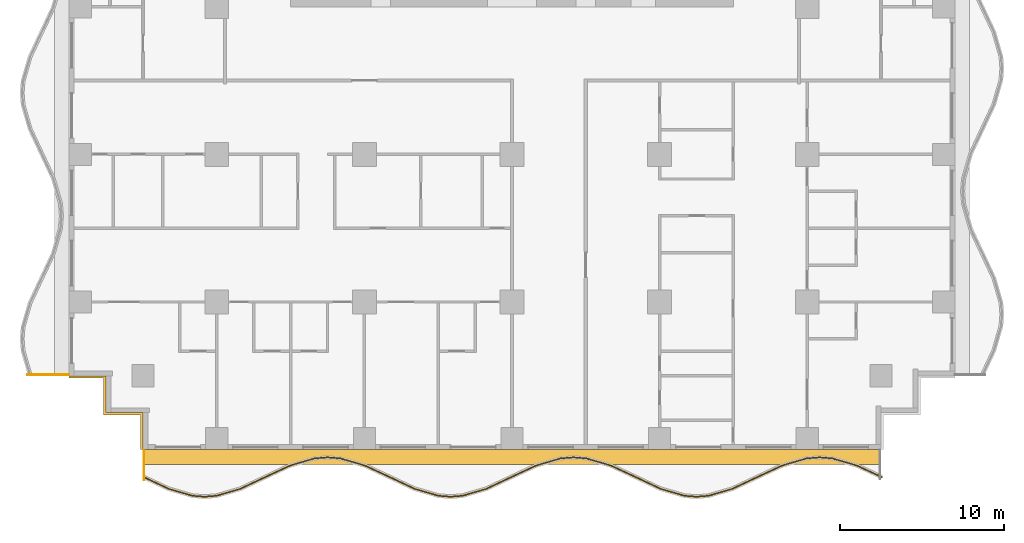
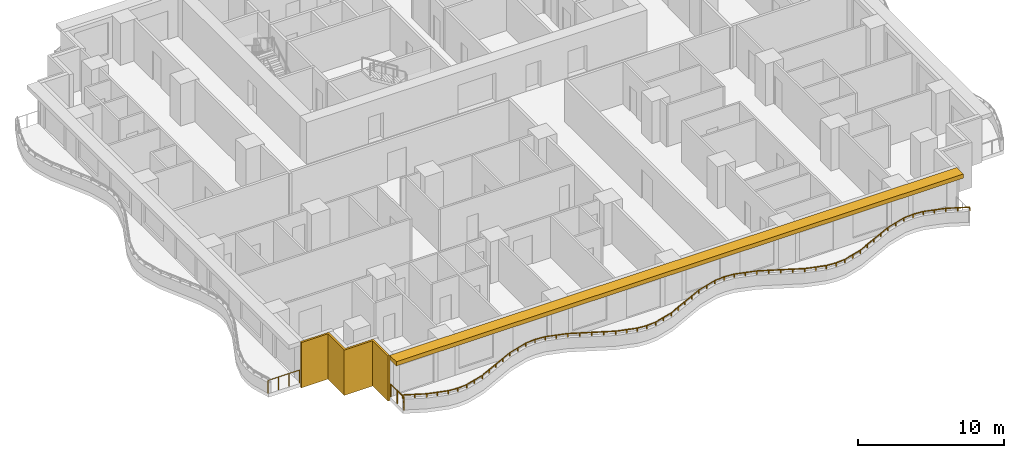
# One storey, part 7 of 13: 3 railings, 2 shading devices.
"""IFC4 building model written with IfcOpenShell, lengths in metres."""

import ifcopenshell
import ifcopenshell.guid

model = None  # the IFC model being written
_history = None  # IfcOwnerHistory: only IFC2X3 demands one
_inside = {}  # id of a spatial element -> (the spatial element, [elements in it])
_under = {}  # id of a project, library or spatial element -> (it, [spatial elements below it])
_declared = {}  # id of a project -> (the project, [libraries it declares])
_typed = {}  # id of a type object -> (the type object, [elements of that type])
_made_of = {}  # id of a material, layer set ... -> (it, [elements and type objects made of it])


def new_model(schema):
    """Start an empty IFC model of exactly this schema.

    Asked for "IFC4X3", IfcOpenShell would pick the latest addendum, in which some entities
    have other attributes; the version numbers below select the first issue.
    IFC2X3 requires an IfcOwnerHistory on every rooted entity: one is made here for all.
    """
    global model, _history
    if schema == "IFC4X3":
        model = ifcopenshell.file(schema_version=(4, 3, 0, 0))
    else:
        model = ifcopenshell.file(schema=schema)
    _inside.clear()
    _under.clear()
    _declared.clear()
    _typed.clear()
    _made_of.clear()
    _history = None
    if model.schema == "IFC2X3":
        org = make("IfcOrganization", Name="unknown")
        user = make(
            "IfcPersonAndOrganization",
            ThePerson=make("IfcPerson", FamilyName="unknown"),
            TheOrganization=org,
        )
        app = make(
            "IfcApplication",
            ApplicationDeveloper=org,
            Version="unknown",
            ApplicationFullName="unknown",
            ApplicationIdentifier="unknown",
        )
        _history = make(
            "IfcOwnerHistory",
            OwningUser=user,
            OwningApplication=app,
            ChangeAction="ADDED",
            CreationDate=0,
        )
    return model


def make(cls, **values):
    """One entity of the class cls with the attributes given. An attribute that is None is left unset."""
    return model.create_entity(
        cls, **{name: value for name, value in values.items() if value is not None}
    )


def rooted(cls, **values):
    """An entity with a GlobalId (a new one), such as an element, a storey or a relation."""
    return make(cls, GlobalId=ifcopenshell.guid.new(), OwnerHistory=_history, **values)


def si_unit(unit_type, name, prefix=None):
    """IfcSIUnit, for example si_unit("LENGTHUNIT", "METRE", prefix="MILLI")."""
    return make("IfcSIUnit", UnitType=unit_type, Prefix=prefix, Name=name)


def assignment(units):
    """IfcUnitAssignment: the units of a project."""
    return None if units is None else make("IfcUnitAssignment", Units=units)


def point(xyz):
    """IfcCartesianPoint."""
    return None if xyz is None else make("IfcCartesianPoint", Coordinates=xyz)


def direction(xyz):
    """IfcDirection."""
    return None if xyz is None else make("IfcDirection", DirectionRatios=xyz)


def frame(location, z_axis=None, x_axis=None):
    """IfcAxis2Placement3D, a coordinate frame: its origin and axes. An axis left out is left unset."""
    return make(
        "IfcAxis2Placement3D",
        Location=point(location),
        Axis=direction(z_axis),
        RefDirection=direction(x_axis),
    )


def frame_2d(location, x_axis=None):
    """IfcAxis2Placement2D, a coordinate frame in the plane: its origin and x axis."""
    return make(
        "IfcAxis2Placement2D", Location=point(location), RefDirection=direction(x_axis)
    )


def origin():
    """The frame at (0, 0, 0) with its axes left unset."""
    return frame((0.0, 0.0, 0.0))


def origin_2d():
    """The frame at (0, 0) in the plane with its x axis left unset."""
    return frame_2d((0.0, 0.0))


def place(relative_to, where):
    """IfcLocalPlacement: puts the frame where relative to a parent placement (None: the world)."""
    return make(
        "IfcLocalPlacement", PlacementRelTo=relative_to, RelativePlacement=where
    )


def context(
    kind, dimensions, precision=None, world=None, true_north=None, identifier=None
):
    """IfcGeometricRepresentationContext, for example the 3D "Model" context."""
    return make(
        "IfcGeometricRepresentationContext",
        ContextIdentifier=identifier,
        ContextType=kind,
        CoordinateSpaceDimension=dimensions,
        Precision=precision,
        WorldCoordinateSystem=world,
        TrueNorth=true_north,
    )


def subcontext(parent, identifier, kind, view, scale=None):
    """IfcGeometricRepresentationSubContext, for example "Body" below "Model"."""
    return make(
        "IfcGeometricRepresentationSubContext",
        ContextIdentifier=identifier,
        ContextType=kind,
        ParentContext=parent,
        TargetScale=scale,
        TargetView=view,
    )


def project(units=None, contexts=None):
    """IfcProject with its units and contexts."""
    return rooted(
        "IfcProject",
        Name="project",
        RepresentationContexts=contexts,
        UnitsInContext=assignment(units),
    )


def spatial(cls, under=None, at=None, **own):
    """A site, building, storey or space (cls), placed at a placement, below another one or the project."""
    s = rooted(cls, ObjectPlacement=at, **own)
    if under is not None:
        _under.setdefault(under.id(), (under, []))[1].append(s)
    return s


def polyline(points):
    """IfcPolyline through the points."""
    return make("IfcPolyline", Points=[point(p) for p in points])


def profile(cls, at=None, kind="AREA", **sizes):
    """A parametric profile (cls). Its sizes go by their IFC names, for example OverallWidth=200.0."""
    return make(cls, ProfileType=kind, Position=at, **sizes)


def rectangle(**sizes):
    """IfcRectangleProfileDef."""
    return profile("IfcRectangleProfileDef", **sizes)


def outline(outer, holes=None, kind="AREA"):
    """IfcArbitraryClosedProfileDef: a profile drawn as a closed curve; with holes, ...WithVoids."""
    if holes is None:
        return make("IfcArbitraryClosedProfileDef", ProfileType=kind, OuterCurve=outer)
    return make(
        "IfcArbitraryProfileDefWithVoids",
        ProfileType=kind,
        OuterCurve=outer,
        InnerCurves=holes,
    )


def extrude(swept, where, along, depth):
    """IfcExtrudedAreaSolid: the profile swept, set in the frame where, extruded along a direction by depth."""
    return make(
        "IfcExtrudedAreaSolid",
        SweptArea=swept,
        Position=where,
        ExtrudedDirection=direction(along),
        Depth=depth,
    )


def shape(context_of_items, identifier, shape_type, items):
    """IfcShapeRepresentation: the items that make up one representation, for example the "Body"."""
    return make(
        "IfcShapeRepresentation",
        ContextOfItems=context_of_items,
        RepresentationIdentifier=identifier,
        RepresentationType=shape_type,
        Items=items,
    )


def material(Name=None, Category=None):
    """IfcMaterial."""
    return make("IfcMaterial", Name=Name, Category=Category)


def layer(
    of_material, thickness, ventilated=None, Name=None, Category=None, Priority=None
):
    """IfcMaterialLayer: one layer of a wall or slab, of a material (None: an air gap)."""
    return make(
        "IfcMaterialLayer",
        Material=of_material,
        LayerThickness=thickness,
        IsVentilated=ventilated,
        Name=Name,
        Category=Category,
        Priority=Priority,
    )


def layer_set(layers, Name=None):
    """IfcMaterialLayerSet."""
    return make("IfcMaterialLayerSet", MaterialLayers=layers, LayerSetName=Name)


def made_of(thing, what):
    """Note that an element or type object is made of a material, layer set ...; save() writes the relation."""
    if what is not None:
        _made_of.setdefault(what.id(), (what, []))[1].append(thing)
    return thing


def type_object(cls, material=None, **own):
    """A type object (cls), such as IfcWallType, which elements share."""
    return made_of(rooted(cls, **own), material)


def element(
    cls,
    number,
    at=None,
    inside=None,
    cuts=None,
    type_object=None,
    material=None,
    context=None,
    identifier="Body",
    shape_type=None,
    held_by="IfcProductDefinitionShape",
    body=None,
    shapes=None,
    **own,
):
    """One element of the class cls, such as IfcWall. Its Tag is "e" and its number.

    at: its placement. inside: the storey or other place that contains it. cuts: it is an
    opening in that element (IfcRelVoidsElement). A single representation is given by context,
    identifier, shape_type and body (its items); several are given by shapes. held_by: the class
    of the entity that holds the representations. save() writes the other relations.
    """
    e = rooted(cls, Tag="e%d" % number, ObjectPlacement=at, **own)
    if body is not None:
        shapes = [shape(context, identifier, shape_type, body)]
    if shapes is not None:
        e.Representation = make(held_by, Representations=shapes)
    if inside is not None:
        _inside.setdefault(inside.id(), (inside, []))[1].append(e)
    if cuts is not None:
        rooted(
            "IfcRelVoidsElement", RelatingBuildingElement=cuts, RelatedOpeningElement=e
        )
    if type_object is not None:
        _typed.setdefault(type_object.id(), (type_object, []))[1].append(e)
    return made_of(e, material)


def aggregate(whole, parts):
    """IfcRelAggregates: a whole, such as a stair, and the parts it consists of."""
    return rooted("IfcRelAggregates", RelatingObject=whole, RelatedObjects=parts)


def save(model, path):
    """Write the relations noted so far, then the file.

    IfcRelAggregates (storeys below a building ...), IfcRelContainedInSpatialStructure (elements
    in a storey), IfcRelDefinesByType, IfcRelAssociatesMaterial and IfcRelDeclares: one each for
    every whole, place, type object, material and project.
    """
    for whole, parts in _under.values():
        aggregate(whole, parts)
    for where, things in _inside.values():
        rooted(
            "IfcRelContainedInSpatialStructure",
            RelatedElements=things,
            RelatingStructure=where,
        )
    for kind, things in _typed.values():
        rooted("IfcRelDefinesByType", RelatedObjects=things, RelatingType=kind)
    for what, things in _made_of.values():
        rooted("IfcRelAssociatesMaterial", RelatedObjects=things, RelatingMaterial=what)
    for by, libraries in _declared.values():
        rooted("IfcRelDeclares", RelatingContext=by, RelatedDefinitions=libraries)
    model.write(path)


model = new_model("IFC4")

# Units and contexts
model_context = context("Model", 3, precision=1e-05, world=origin(), true_north=direction((0.0, 1.0)))
body_context = subcontext(model_context, "Body", "Model", "MODEL_VIEW")
ifc_project = project(units=[si_unit("LENGTHUNIT", "METRE"), si_unit("AREAUNIT", "SQUARE_METRE"), si_unit("VOLUMEUNIT", "CUBIC_METRE"), si_unit("PLANEANGLEUNIT", "RADIAN"), si_unit("MASSUNIT", "GRAM", prefix="KILO")], contexts=[model_context])

# Site, building, storey
site_placement = place(None, origin())
site = spatial("IfcSite", under=ifc_project, at=site_placement, CompositionType="ELEMENT")
building_placement = place(site_placement, origin())
building = spatial("IfcBuilding", under=site, at=building_placement, Name="Orbiselva Terraces", CompositionType="ELEMENT")
storey_placement = place(building_placement, frame((0.0, 0.0, 77.0)))
storey = spatial("IfcBuildingStorey", under=building, at=storey_placement, Name="L19", CompositionType="ELEMENT", Elevation=77.0)

# Railings
ifc_material_1 = material(Name="Bonded two-ply safety glass balustrade, stainless steel posts", Category="steel")
railing_type_1 = type_object("IfcRailingType", Name="ENV-BALUSTRADE-1200", PredefinedType="BALUSTRADE", material=ifc_material_1)
railing_1_placement = place(storey_placement, frame((-22.446809, -24.186882, 0.9)))
element("IfcRailing", 1, at=railing_1_placement, inside=storey, type_object=railing_type_1, Name="Balcony balustrade L19 S", PredefinedType="BALUSTRADE", context=body_context, shape_type="SweptSolid", body=[
    extrude(outline(polyline([(0.028868, 0.0), (0.014434, 0.025), (-0.014434, 0.025), (-0.028868, 0.0), (-0.014434, -0.025), (0.014434, -0.025), (0.028868, 0.0)])), frame((0.0, 0.0, 0.275), z_axis=(0.904944359461, -0.425529912322, 0.0), x_axis=(0.425529912322, 0.904944359461, 0.0)), (0.0, 0.0, 1.0), 1.647746),
    extrude(outline(polyline([(0.028868, 0.0), (0.014434, 0.025), (-0.014434, 0.025), (-0.028868, 0.0), (-0.014434, -0.025), (0.014434, -0.025), (0.028868, 0.0)])), frame((1.491118, -0.701165, 0.275), z_axis=(0.960270317007, -0.279071528957, 0.0), x_axis=(0.279071528957, 0.960270317007, 0.0)), (0.0, 0.0, 1.0), 1.539408),
    extrude(outline(polyline([(0.028868, 0.0), (0.014434, 0.025), (-0.014434, 0.025), (-0.028868, 0.0), (-0.014434, -0.025), (0.014434, -0.025), (0.028868, 0.0)])), frame((2.969366, -1.13077, 0.275), z_axis=(0.996947916106, -0.078069536776, 0.0), x_axis=(0.078069536776, 0.996947916106, 0.0)), (0.0, 0.0, 1.0), 0.72967),
    extrude(outline(polyline([(0.028868, 0.0), (0.014434, 0.025), (-0.014434, 0.025), (-0.028868, 0.0), (-0.014434, -0.025), (0.014434, -0.025), (0.028868, 0.0)])), frame((3.696809, -1.187735, 0.275), z_axis=(0.996947916106, 0.078069536776, 0.0), x_axis=(-0.078069536776, 0.996947916106, 0.0)), (0.0, 0.0, 1.0), 0.72967),
    extrude(outline(polyline([(0.028868, 0.0), (0.014434, 0.025), (-0.014434, 0.025), (-0.028868, 0.0), (-0.014434, -0.025), (0.014434, -0.025), (0.028868, 0.0)])), frame((4.424252, -1.13077, 0.275), z_axis=(0.960270317007, 0.279071528957, 0.0), x_axis=(-0.279071528957, 0.960270317007, 0.0)), (0.0, 0.0, 1.0), 1.539408),
    extrude(outline(polyline([(0.028868, 0.0), (0.014434, 0.025), (-0.014434, 0.025), (-0.028868, 0.0), (-0.014434, -0.025), (0.014434, -0.025), (0.028868, 0.0)])), frame((5.9025, -0.701165, 0.275), z_axis=(0.904944359461, 0.425529912322, 0.0), x_axis=(-0.425529912322, 0.904944359461, 0.0)), (0.0, 0.0, 1.0), 1.647746),
    extrude(outline(polyline([(0.028868, 0.0), (0.014434, 0.025), (-0.014434, 0.025), (-0.028868, 0.0), (-0.014434, -0.025), (0.014434, -0.025), (0.028868, 0.0)])), frame((7.393618, 0.0, 0.275), z_axis=(0.904944157382, 0.425530342069, 0.0), x_axis=(-0.425530342069, 0.904944157382, 0.0)), (0.0, 0.0, 1.0), 1.667376),
    extrude(outline(polyline([(0.028868, 0.0), (0.014434, 0.025), (-0.014434, 0.025), (-0.028868, 0.0), (-0.014434, -0.025), (0.014434, -0.025), (0.028868, 0.0)])), frame((8.9025, 0.709519, 0.275), z_axis=(0.960270491427, 0.279070928786, 0.0), x_axis=(-0.279070928786, 0.960270491427, 0.0)), (0.0, 0.0, 1.0), 1.584712),
    extrude(outline(polyline([(0.028868, 0.0), (0.014434, 0.025), (-0.014434, 0.025), (-0.028868, 0.0), (-0.014434, -0.025), (0.014434, -0.025), (0.028868, 0.0)])), frame((10.424252, 1.151766, 0.275), z_axis=(0.996947796737, 0.078071061106, 0.0), x_axis=(-0.078071061106, 0.996947796737, 0.0)), (0.0, 0.0, 1.0), 0.774922),
    extrude(outline(polyline([(0.028868, 0.0), (0.014434, 0.025), (-0.014434, 0.025), (-0.028868, 0.0), (-0.014434, -0.025), (0.014434, -0.025), (0.028868, 0.0)])), frame((11.196809, 1.212265, 0.275), z_axis=(0.996947796737, -0.078071061106, 0.0), x_axis=(0.078071061106, 0.996947796737, 0.0)), (0.0, 0.0, 1.0), 0.774922),
    extrude(outline(polyline([(0.028868, 0.0), (0.014434, 0.025), (-0.014434, 0.025), (-0.028868, 0.0), (-0.014434, -0.025), (0.014434, -0.025), (0.028868, 0.0)])), frame((11.969366, 1.151766, 0.275), z_axis=(0.960270491427, -0.279070928786, 0.0), x_axis=(0.279070928786, 0.960270491427, 0.0)), (0.0, 0.0, 1.0), 1.584712),
    extrude(outline(polyline([(0.028868, 0.0), (0.014434, 0.025), (-0.014434, 0.025), (-0.028868, 0.0), (-0.014434, -0.025), (0.014434, -0.025), (0.028868, 0.0)])), frame((13.491118, 0.709519, 0.275), z_axis=(0.904944157382, -0.425530342069, 0.0), x_axis=(0.425530342069, 0.904944157382, 0.0)), (0.0, 0.0, 1.0), 1.667376),
    extrude(outline(polyline([(0.028868, 0.0), (0.014434, 0.025), (-0.014434, 0.025), (-0.028868, 0.0), (-0.014434, -0.025), (0.014434, -0.025), (0.028868, 0.0)])), frame((15.0, 0.0, 0.275), z_axis=(0.904944359461, -0.425529912322, 0.0), x_axis=(0.425529912322, 0.904944359461, 0.0)), (0.0, 0.0, 1.0), 1.647746),
    extrude(outline(polyline([(0.028868, 0.0), (0.014434, 0.025), (-0.014434, 0.025), (-0.028868, 0.0), (-0.014434, -0.025), (0.014434, -0.025), (0.028868, 0.0)])), frame((16.491118, -0.701165, 0.275), z_axis=(0.960270317007, -0.279071528957, 0.0), x_axis=(0.279071528957, 0.960270317007, 0.0)), (0.0, 0.0, 1.0), 1.539408),
    extrude(outline(polyline([(0.028868, 0.0), (0.014434, 0.025), (-0.014434, 0.025), (-0.028868, 0.0), (-0.014434, -0.025), (0.014434, -0.025), (0.028868, 0.0)])), frame((17.969366, -1.13077, 0.275), z_axis=(0.996947916106, -0.078069536776, 0.0), x_axis=(0.078069536776, 0.996947916106, 0.0)), (0.0, 0.0, 1.0), 0.72967),
    extrude(outline(polyline([(0.028868, 0.0), (0.014434, 0.025), (-0.014434, 0.025), (-0.028868, 0.0), (-0.014434, -0.025), (0.014434, -0.025), (0.028868, 0.0)])), frame((18.696809, -1.187735, 0.275), z_axis=(0.996947916106, 0.078069536776, 0.0), x_axis=(-0.078069536776, 0.996947916106, 0.0)), (0.0, 0.0, 1.0), 0.72967),
    extrude(outline(polyline([(0.028868, 0.0), (0.014434, 0.025), (-0.014434, 0.025), (-0.028868, 0.0), (-0.014434, -0.025), (0.014434, -0.025), (0.028868, 0.0)])), frame((19.424252, -1.13077, 0.275), z_axis=(0.960270317007, 0.279071528957, 0.0), x_axis=(-0.279071528957, 0.960270317007, 0.0)), (0.0, 0.0, 1.0), 1.539408),
    extrude(outline(polyline([(0.028868, 0.0), (0.014434, 0.025), (-0.014434, 0.025), (-0.028868, 0.0), (-0.014434, -0.025), (0.014434, -0.025), (0.028868, 0.0)])), frame((20.9025, -0.701165, 0.275), z_axis=(0.904944359461, 0.425529912322, 0.0), x_axis=(-0.425529912322, 0.904944359461, 0.0)), (0.0, 0.0, 1.0), 1.647746),
    extrude(outline(polyline([(0.028868, 0.0), (0.014434, 0.025), (-0.014434, 0.025), (-0.028868, 0.0), (-0.014434, -0.025), (0.014434, -0.025), (0.028868, 0.0)])), frame((22.393618, 0.0, 0.275), z_axis=(0.904944157382, 0.425530342069, 0.0), x_axis=(-0.425530342069, 0.904944157382, 0.0)), (0.0, 0.0, 1.0), 1.667376),
    extrude(outline(polyline([(0.028868, 0.0), (0.014434, 0.025), (-0.014434, 0.025), (-0.028868, 0.0), (-0.014434, -0.025), (0.014434, -0.025), (0.028868, 0.0)])), frame((23.9025, 0.709519, 0.275), z_axis=(0.960270491427, 0.279070928786, 0.0), x_axis=(-0.279070928786, 0.960270491427, 0.0)), (0.0, 0.0, 1.0), 1.584712),
    extrude(outline(polyline([(0.028868, 0.0), (0.014434, 0.025), (-0.014434, 0.025), (-0.028868, 0.0), (-0.014434, -0.025), (0.014434, -0.025), (0.028868, 0.0)])), frame((25.424252, 1.151766, 0.275), z_axis=(0.996947796737, 0.078071061106, 0.0), x_axis=(-0.078071061106, 0.996947796737, 0.0)), (0.0, 0.0, 1.0), 0.774922),
    extrude(outline(polyline([(0.028868, 0.0), (0.014434, 0.025), (-0.014434, 0.025), (-0.028868, 0.0), (-0.014434, -0.025), (0.014434, -0.025), (0.028868, 0.0)])), frame((26.196809, 1.212265, 0.275), z_axis=(0.996947796737, -0.078071061106, 0.0), x_axis=(0.078071061106, 0.996947796737, 0.0)), (0.0, 0.0, 1.0), 0.774922),
    extrude(outline(polyline([(0.028868, 0.0), (0.014434, 0.025), (-0.014434, 0.025), (-0.028868, 0.0), (-0.014434, -0.025), (0.014434, -0.025), (0.028868, 0.0)])), frame((26.969366, 1.151766, 0.275), z_axis=(0.960270491427, -0.279070928786, 0.0), x_axis=(0.279070928786, 0.960270491427, 0.0)), (0.0, 0.0, 1.0), 1.584712),
    extrude(outline(polyline([(0.028868, 0.0), (0.014434, 0.025), (-0.014434, 0.025), (-0.028868, 0.0), (-0.014434, -0.025), (0.014434, -0.025), (0.028868, 0.0)])), frame((28.491118, 0.709519, 0.275), z_axis=(0.904944157382, -0.425530342069, 0.0), x_axis=(0.425530342069, 0.904944157382, 0.0)), (0.0, 0.0, 1.0), 1.667376),
    extrude(outline(polyline([(0.028868, 0.0), (0.014434, 0.025), (-0.014434, 0.025), (-0.028868, 0.0), (-0.014434, -0.025), (0.014434, -0.025), (0.028868, 0.0)])), frame((30.0, 0.0, 0.275), z_axis=(0.904944359461, -0.425529912322, 0.0), x_axis=(0.425529912322, 0.904944359461, 0.0)), (0.0, 0.0, 1.0), 1.647746),
    extrude(outline(polyline([(0.028868, 0.0), (0.014434, 0.025), (-0.014434, 0.025), (-0.028868, 0.0), (-0.014434, -0.025), (0.014434, -0.025), (0.028868, 0.0)])), frame((31.491118, -0.701165, 0.275), z_axis=(0.960270317007, -0.279071528957, 0.0), x_axis=(0.279071528957, 0.960270317007, 0.0)), (0.0, 0.0, 1.0), 1.539408),
    extrude(outline(polyline([(0.028868, 0.0), (0.014434, 0.025), (-0.014434, 0.025), (-0.028868, 0.0), (-0.014434, -0.025), (0.014434, -0.025), (0.028868, 0.0)])), frame((32.969366, -1.13077, 0.275), z_axis=(0.996947916106, -0.078069536776, 0.0), x_axis=(0.078069536776, 0.996947916106, 0.0)), (0.0, 0.0, 1.0), 0.72967),
    extrude(outline(polyline([(0.028868, 0.0), (0.014434, 0.025), (-0.014434, 0.025), (-0.028868, 0.0), (-0.014434, -0.025), (0.014434, -0.025), (0.028868, 0.0)])), frame((33.696809, -1.187735, 0.275), z_axis=(0.996947916106, 0.078069536776, 0.0), x_axis=(-0.078069536776, 0.996947916106, 0.0)), (0.0, 0.0, 1.0), 0.72967),
    extrude(outline(polyline([(0.028868, 0.0), (0.014434, 0.025), (-0.014434, 0.025), (-0.028868, 0.0), (-0.014434, -0.025), (0.014434, -0.025), (0.028868, 0.0)])), frame((34.424252, -1.13077, 0.275), z_axis=(0.960270317007, 0.279071528957, 0.0), x_axis=(-0.279071528957, 0.960270317007, 0.0)), (0.0, 0.0, 1.0), 1.539408),
    extrude(outline(polyline([(0.028868, 0.0), (0.014434, 0.025), (-0.014434, 0.025), (-0.028868, 0.0), (-0.014434, -0.025), (0.014434, -0.025), (0.028868, 0.0)])), frame((35.9025, -0.701165, 0.275), z_axis=(0.904944359461, 0.425529912322, 0.0), x_axis=(-0.425529912322, 0.904944359461, 0.0)), (0.0, 0.0, 1.0), 1.647746),
    extrude(outline(polyline([(0.028868, 0.0), (0.014434, 0.025), (-0.014434, 0.025), (-0.028868, 0.0), (-0.014434, -0.025), (0.014434, -0.025), (0.028868, 0.0)])), frame((37.393618, 0.0, 0.275), z_axis=(0.904944157382, 0.425530342069, 0.0), x_axis=(-0.425530342069, 0.904944157382, 0.0)), (0.0, 0.0, 1.0), 1.667376),
    extrude(outline(polyline([(0.028868, 0.0), (0.014434, 0.025), (-0.014434, 0.025), (-0.028868, 0.0), (-0.014434, -0.025), (0.014434, -0.025), (0.028868, 0.0)])), frame((38.9025, 0.709519, 0.275), z_axis=(0.960270491427, 0.279070928786, 0.0), x_axis=(-0.279070928786, 0.960270491427, 0.0)), (0.0, 0.0, 1.0), 1.584712),
    extrude(outline(polyline([(0.028868, 0.0), (0.014434, 0.025), (-0.014434, 0.025), (-0.028868, 0.0), (-0.014434, -0.025), (0.014434, -0.025), (0.028868, 0.0)])), frame((40.424252, 1.151766, 0.275), z_axis=(0.996947796737, 0.078071061106, 0.0), x_axis=(-0.078071061106, 0.996947796737, 0.0)), (0.0, 0.0, 1.0), 0.774922),
    extrude(outline(polyline([(0.028868, 0.0), (0.014434, 0.025), (-0.014434, 0.025), (-0.028868, 0.0), (-0.014434, -0.025), (0.014434, -0.025), (0.028868, 0.0)])), frame((41.196809, 1.212265, 0.275), z_axis=(0.996947796737, -0.078071061106, 0.0), x_axis=(0.078071061106, 0.996947796737, 0.0)), (0.0, 0.0, 1.0), 0.774922),
    extrude(outline(polyline([(0.028868, 0.0), (0.014434, 0.025), (-0.014434, 0.025), (-0.028868, 0.0), (-0.014434, -0.025), (0.014434, -0.025), (0.028868, 0.0)])), frame((41.969366, 1.151766, 0.275), z_axis=(0.960270491427, -0.279070928786, 0.0), x_axis=(0.279070928786, 0.960270491427, 0.0)), (0.0, 0.0, 1.0), 1.584712),
    extrude(outline(polyline([(0.028868, 0.0), (0.014434, 0.025), (-0.014434, 0.025), (-0.028868, 0.0), (-0.014434, -0.025), (0.014434, -0.025), (0.028868, 0.0)])), frame((43.491118, 0.709519, 0.275), z_axis=(0.904944157382, -0.425530342069, 0.0), x_axis=(0.425530342069, 0.904944157382, 0.0)), (0.0, 0.0, 1.0), 1.667376),
    extrude(rectangle(XDim=0.05, YDim=0.05, at=origin_2d()), origin(), (0.0, 0.0, 1.0), 0.25),
    extrude(rectangle(XDim=0.05, YDim=0.05, at=origin_2d()), frame((0.745559, -0.350582, 0.0)), (0.0, 0.0, 1.0), 0.25),
    extrude(rectangle(XDim=0.05, YDim=0.05, at=origin_2d()), frame((1.491118, -0.701165, 0.0)), (0.0, 0.0, 1.0), 0.25),
    extrude(rectangle(XDim=0.05, YDim=0.05, at=origin_2d()), frame((2.230242, -0.915967, 0.0)), (0.0, 0.0, 1.0), 0.25),
    extrude(rectangle(XDim=0.05, YDim=0.05, at=origin_2d()), frame((2.969366, -1.13077, 0.0)), (0.0, 0.0, 1.0), 0.25),
    extrude(rectangle(XDim=0.05, YDim=0.05, at=origin_2d()), frame((3.696809, -1.187735, 0.0)), (0.0, 0.0, 1.0), 0.25),
    extrude(rectangle(XDim=0.05, YDim=0.05, at=origin_2d()), frame((4.424252, -1.13077, 0.0)), (0.0, 0.0, 1.0), 0.25),
    extrude(rectangle(XDim=0.05, YDim=0.05, at=origin_2d()), frame((5.163376, -0.915967, 0.0)), (0.0, 0.0, 1.0), 0.25),
    extrude(rectangle(XDim=0.05, YDim=0.05, at=origin_2d()), frame((5.9025, -0.701165, 0.0)), (0.0, 0.0, 1.0), 0.25),
    extrude(rectangle(XDim=0.05, YDim=0.05, at=origin_2d()), frame((6.648059, -0.350582, 0.0)), (0.0, 0.0, 1.0), 0.25),
    extrude(rectangle(XDim=0.05, YDim=0.05, at=origin_2d()), frame((7.393618, 0.0, 0.0)), (0.0, 0.0, 1.0), 0.25),
    extrude(rectangle(XDim=0.05, YDim=0.05, at=origin_2d()), frame((8.148059, 0.35476, 0.0)), (0.0, 0.0, 1.0), 0.25),
    extrude(rectangle(XDim=0.05, YDim=0.05, at=origin_2d()), frame((8.9025, 0.709519, 0.0)), (0.0, 0.0, 1.0), 0.25),
    extrude(rectangle(XDim=0.05, YDim=0.05, at=origin_2d()), frame((9.663376, 0.930643, 0.0)), (0.0, 0.0, 1.0), 0.25),
    extrude(rectangle(XDim=0.05, YDim=0.05, at=origin_2d()), frame((10.424252, 1.151766, 0.0)), (0.0, 0.0, 1.0), 0.25),
    extrude(rectangle(XDim=0.05, YDim=0.05, at=origin_2d()), frame((11.196809, 1.212265, 0.0)), (0.0, 0.0, 1.0), 0.25),
    extrude(rectangle(XDim=0.05, YDim=0.05, at=origin_2d()), frame((11.969366, 1.151766, 0.0)), (0.0, 0.0, 1.0), 0.25),
    extrude(rectangle(XDim=0.05, YDim=0.05, at=origin_2d()), frame((12.730242, 0.930643, 0.0)), (0.0, 0.0, 1.0), 0.25),
    extrude(rectangle(XDim=0.05, YDim=0.05, at=origin_2d()), frame((13.491118, 0.709519, 0.0)), (0.0, 0.0, 1.0), 0.25),
    extrude(rectangle(XDim=0.05, YDim=0.05, at=origin_2d()), frame((14.245559, 0.35476, 0.0)), (0.0, 0.0, 1.0), 0.25),
    extrude(rectangle(XDim=0.05, YDim=0.05, at=origin_2d()), frame((15.0, 0.0, 0.0)), (0.0, 0.0, 1.0), 0.25),
    extrude(rectangle(XDim=0.05, YDim=0.05, at=origin_2d()), frame((15.745559, -0.350582, 0.0)), (0.0, 0.0, 1.0), 0.25),
    extrude(rectangle(XDim=0.05, YDim=0.05, at=origin_2d()), frame((16.491118, -0.701165, 0.0)), (0.0, 0.0, 1.0), 0.25),
    extrude(rectangle(XDim=0.05, YDim=0.05, at=origin_2d()), frame((17.230242, -0.915967, 0.0)), (0.0, 0.0, 1.0), 0.25),
    extrude(rectangle(XDim=0.05, YDim=0.05, at=origin_2d()), frame((17.969366, -1.13077, 0.0)), (0.0, 0.0, 1.0), 0.25),
    extrude(rectangle(XDim=0.05, YDim=0.05, at=origin_2d()), frame((18.696809, -1.187735, 0.0)), (0.0, 0.0, 1.0), 0.25),
    extrude(rectangle(XDim=0.05, YDim=0.05, at=origin_2d()), frame((19.424252, -1.13077, 0.0)), (0.0, 0.0, 1.0), 0.25),
    extrude(rectangle(XDim=0.05, YDim=0.05, at=origin_2d()), frame((20.163376, -0.915967, 0.0)), (0.0, 0.0, 1.0), 0.25),
    extrude(rectangle(XDim=0.05, YDim=0.05, at=origin_2d()), frame((20.9025, -0.701165, 0.0)), (0.0, 0.0, 1.0), 0.25),
    extrude(rectangle(XDim=0.05, YDim=0.05, at=origin_2d()), frame((21.648059, -0.350582, 0.0)), (0.0, 0.0, 1.0), 0.25),
    extrude(rectangle(XDim=0.05, YDim=0.05, at=origin_2d()), frame((22.393618, 0.0, 0.0)), (0.0, 0.0, 1.0), 0.25),
    extrude(rectangle(XDim=0.05, YDim=0.05, at=origin_2d()), frame((23.148059, 0.35476, 0.0)), (0.0, 0.0, 1.0), 0.25),
    extrude(rectangle(XDim=0.05, YDim=0.05, at=origin_2d()), frame((23.9025, 0.709519, 0.0)), (0.0, 0.0, 1.0), 0.25),
    extrude(rectangle(XDim=0.05, YDim=0.05, at=origin_2d()), frame((24.663376, 0.930643, 0.0)), (0.0, 0.0, 1.0), 0.25),
    extrude(rectangle(XDim=0.05, YDim=0.05, at=origin_2d()), frame((25.424252, 1.151766, 0.0)), (0.0, 0.0, 1.0), 0.25),
    extrude(rectangle(XDim=0.05, YDim=0.05, at=origin_2d()), frame((26.196809, 1.212265, 0.0)), (0.0, 0.0, 1.0), 0.25),
    extrude(rectangle(XDim=0.05, YDim=0.05, at=origin_2d()), frame((26.969366, 1.151766, 0.0)), (0.0, 0.0, 1.0), 0.25),
    extrude(rectangle(XDim=0.05, YDim=0.05, at=origin_2d()), frame((27.730242, 0.930643, 0.0)), (0.0, 0.0, 1.0), 0.25),
    extrude(rectangle(XDim=0.05, YDim=0.05, at=origin_2d()), frame((28.491118, 0.709519, 0.0)), (0.0, 0.0, 1.0), 0.25),
    extrude(rectangle(XDim=0.05, YDim=0.05, at=origin_2d()), frame((29.245559, 0.35476, 0.0)), (0.0, 0.0, 1.0), 0.25),
    extrude(rectangle(XDim=0.05, YDim=0.05, at=origin_2d()), frame((30.0, 0.0, 0.0)), (0.0, 0.0, 1.0), 0.25),
    extrude(rectangle(XDim=0.05, YDim=0.05, at=origin_2d()), frame((30.745559, -0.350582, 0.0)), (0.0, 0.0, 1.0), 0.25),
    extrude(rectangle(XDim=0.05, YDim=0.05, at=origin_2d()), frame((31.491118, -0.701165, 0.0)), (0.0, 0.0, 1.0), 0.25),
    extrude(rectangle(XDim=0.05, YDim=0.05, at=origin_2d()), frame((32.230242, -0.915967, 0.0)), (0.0, 0.0, 1.0), 0.25),
    extrude(rectangle(XDim=0.05, YDim=0.05, at=origin_2d()), frame((32.969366, -1.13077, 0.0)), (0.0, 0.0, 1.0), 0.25),
    extrude(rectangle(XDim=0.05, YDim=0.05, at=origin_2d()), frame((33.696809, -1.187735, 0.0)), (0.0, 0.0, 1.0), 0.25),
    extrude(rectangle(XDim=0.05, YDim=0.05, at=origin_2d()), frame((34.424252, -1.13077, 0.0)), (0.0, 0.0, 1.0), 0.25),
    extrude(rectangle(XDim=0.05, YDim=0.05, at=origin_2d()), frame((35.163376, -0.915967, 0.0)), (0.0, 0.0, 1.0), 0.25),
    extrude(rectangle(XDim=0.05, YDim=0.05, at=origin_2d()), frame((35.9025, -0.701165, 0.0)), (0.0, 0.0, 1.0), 0.25),
    extrude(rectangle(XDim=0.05, YDim=0.05, at=origin_2d()), frame((36.648059, -0.350582, 0.0)), (0.0, 0.0, 1.0), 0.25),
    extrude(rectangle(XDim=0.05, YDim=0.05, at=origin_2d()), frame((37.393618, 0.0, 0.0)), (0.0, 0.0, 1.0), 0.25),
    extrude(rectangle(XDim=0.05, YDim=0.05, at=origin_2d()), frame((38.148059, 0.35476, 0.0)), (0.0, 0.0, 1.0), 0.25),
    extrude(rectangle(XDim=0.05, YDim=0.05, at=origin_2d()), frame((38.9025, 0.709519, 0.0)), (0.0, 0.0, 1.0), 0.25),
    extrude(rectangle(XDim=0.05, YDim=0.05, at=origin_2d()), frame((39.663376, 0.930643, 0.0)), (0.0, 0.0, 1.0), 0.25),
    extrude(rectangle(XDim=0.05, YDim=0.05, at=origin_2d()), frame((40.424252, 1.151766, 0.0)), (0.0, 0.0, 1.0), 0.25),
    extrude(rectangle(XDim=0.05, YDim=0.05, at=origin_2d()), frame((41.196809, 1.212265, 0.0)), (0.0, 0.0, 1.0), 0.25),
    extrude(rectangle(XDim=0.05, YDim=0.05, at=origin_2d()), frame((41.969366, 1.151766, 0.0)), (0.0, 0.0, 1.0), 0.25),
    extrude(rectangle(XDim=0.05, YDim=0.05, at=origin_2d()), frame((42.730242, 0.930643, 0.0)), (0.0, 0.0, 1.0), 0.25),
    extrude(rectangle(XDim=0.05, YDim=0.05, at=origin_2d()), frame((43.491118, 0.709519, 0.0)), (0.0, 0.0, 1.0), 0.25),
    extrude(rectangle(XDim=0.05, YDim=0.05, at=origin_2d()), frame((44.245559, 0.35476, 0.0)), (0.0, 0.0, 1.0), 0.25),
    extrude(rectangle(XDim=0.05, YDim=0.05, at=origin_2d()), frame((45.0, 0.0, 0.0)), (0.0, 0.0, 1.0), 0.25),
])
ifc_material_2 = material(Name="Stainless steel rail and posts", Category="steel")
railing_type_2 = type_object("IfcRailingType", Name="ENV-GUARD-1105", PredefinedType="BALUSTRADE", material=ifc_material_2)
railing_2_placement = place(storey_placement, frame((-22.44, -24.330156, 0.0)))
element("IfcRailing", 2, at=railing_2_placement, inside=storey, type_object=railing_type_2, Name="Balcony end guard L19 S", PredefinedType="BALUSTRADE", context=body_context, shape_type="SweptSolid", body=[
    extrude(outline(polyline([(0.028868, 0.0), (0.014434, 0.025), (-0.014434, 0.025), (-0.028868, 0.0), (-0.014434, -0.025), (0.014434, -0.025), (0.028868, 0.0)])), frame((0.0, 0.0, 1.08), z_axis=(0.0, 1.0, 0.0), x_axis=(-1.0, 0.0, 0.0)), (0.0, 0.0, 1.0), 1.805156),
    extrude(rectangle(XDim=0.05, YDim=0.05, at=origin_2d()), origin(), (0.0, 0.0, 1.0), 1.055),
    extrude(rectangle(XDim=0.05, YDim=0.05, at=origin_2d()), frame((0.0, 0.902578, 0.0)), (0.0, 0.0, 1.0), 1.055),
    extrude(rectangle(XDim=0.05, YDim=0.05, at=origin_2d()), frame((0.0, 1.805156, 0.0)), (0.0, 0.0, 1.0), 1.055),
])
railing_3_placement = place(storey_placement, frame((-29.529516, -17.94, 0.0)))
element("IfcRailing", 3, at=railing_3_placement, inside=storey, type_object=railing_type_2, Name="Balcony end guard L19 W", PredefinedType="BALUSTRADE", context=body_context, shape_type="SweptSolid", body=[
    extrude(outline(polyline([(0.028868, 0.0), (0.014434, 0.025), (-0.014434, 0.025), (-0.028868, 0.0), (-0.014434, -0.025), (0.014434, -0.025), (0.028868, 0.0)])), frame((0.0, 0.0, 1.08), z_axis=(1.0, 0.0, 0.0), x_axis=(0.0, 1.0, 0.0)), (0.0, 0.0, 1.0), 2.504516),
    extrude(rectangle(XDim=0.05, YDim=0.05, at=origin_2d()), origin(), (0.0, 0.0, 1.0), 1.055),
    extrude(rectangle(XDim=0.05, YDim=0.05, at=origin_2d()), frame((0.834839, 0.0, 0.0)), (0.0, 0.0, 1.0), 1.055),
    extrude(rectangle(XDim=0.05, YDim=0.05, at=origin_2d()), frame((1.669677, 0.0, 0.0)), (0.0, 0.0, 1.0), 1.055),
    extrude(rectangle(XDim=0.05, YDim=0.05, at=origin_2d()), frame((2.504516, 0.0, 0.0)), (0.0, 0.0, 1.0), 1.055),
])

# Shading devices
ifc_material_3 = material(Name="Terracotta louvre screen", Category="masonry")
ifc_layer_1 = layer(ifc_material_3, 0.15)
ifc_layer_set_1 = layer_set([ifc_layer_1], Name="Terracotta louvre screen")
shading_device_type_1 = type_object("IfcShadingDeviceType", Name="ENV-SCREEN-150", PredefinedType="USERDEFINED", material=ifc_layer_set_1)
shading_device_1_placement = place(storey_placement, frame((0.0, 0.0, -0.3)))
element("IfcShadingDevice", 4, at=shading_device_1_placement, inside=storey, type_object=shading_device_type_1, Name="Louvre screen L19 SW", ObjectType="SCREEN", PredefinedType="USERDEFINED", context=body_context, shape_type="SweptSolid", body=[
    extrude(outline(polyline([(-27.0, -18.15), (-24.9, -18.15), (-24.9, -20.4), (-22.65, -20.4), (-22.65, -22.5), (-22.5, -22.5), (-22.5, -20.25), (-24.75, -20.25), (-24.75, -18.0), (-27.0, -18.0), (-27.0, -18.15)])), origin(), (0.0, 0.0, 1.0), 3.8),
])
ifc_material_4 = material(Name="Terracotta baguette sunshade", Category="masonry")
ifc_layer_2 = layer(ifc_material_4, 0.35)
ifc_layer_set_2 = layer_set([ifc_layer_2], Name="Terracotta baguette sunshade")
shading_device_type_2 = type_object("IfcShadingDeviceType", Name="ENV-SUNSHADE-900x350", PredefinedType="USERDEFINED", material=ifc_layer_set_2)
shading_device_2_placement = place(storey_placement, frame((0.0, 0.0, 3.15)))
element("IfcShadingDevice", 5, at=shading_device_2_placement, inside=storey, type_object=shading_device_type_2, Name="Sunshade band L19 S", ObjectType="SUNSHADE", PredefinedType="USERDEFINED", context=body_context, shape_type="SweptSolid", body=[
    extrude(outline(polyline([(-22.5, -23.4), (22.5, -23.4), (22.5, -22.5), (-22.5, -22.5), (-22.5, -23.4)])), origin(), (0.0, 0.0, 1.0), 0.35),
])

save(model, "model.ifc")
